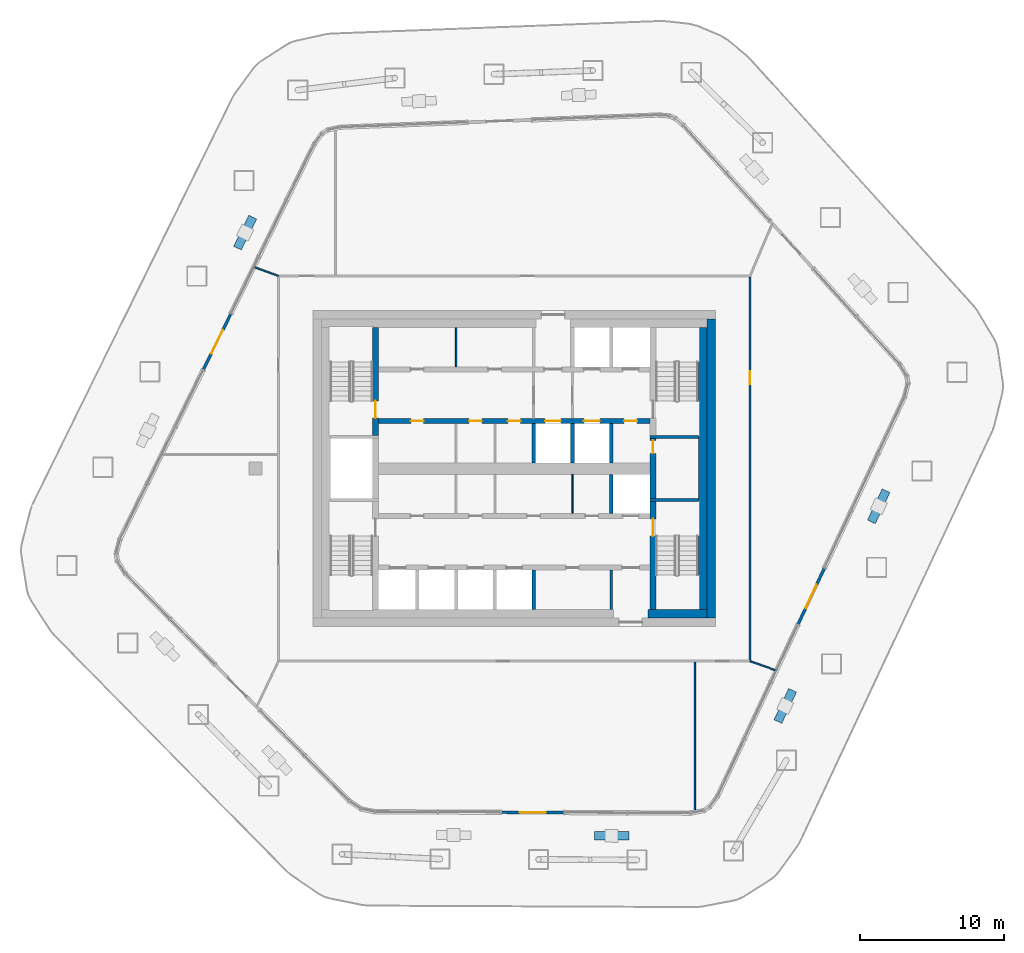
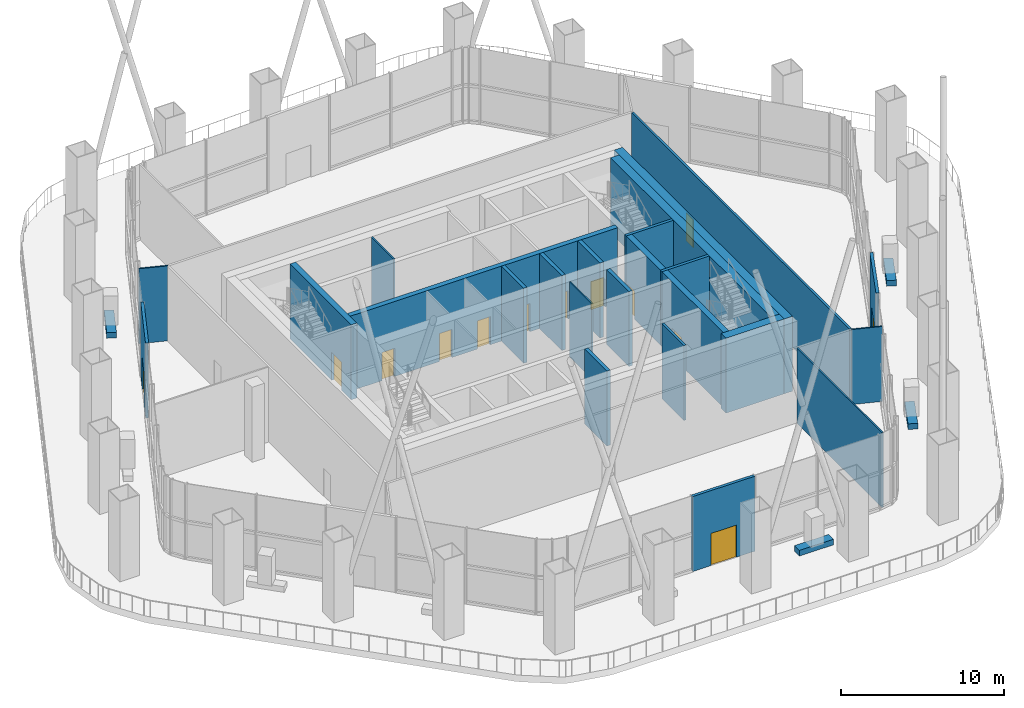
# One storey, part 13 of 20: 28 walls, 13 doors, 13 openings.
"""IFC4 building model written with IfcOpenShell, lengths in metres."""

from ifc_helpers import new_model, si_unit, direction, frame, frame_2d, origin, place, context, subcontext, project, spatial, rectangle, extrude, material, layer, layer_set, type_object, element, fill, save


model = new_model("IFC4")

# Units and contexts
model_context = context("Model", 3, precision=1e-05, world=origin(), true_north=direction((0.0, 1.0)))
body_context = subcontext(model_context, "Body", "Model", "MODEL_VIEW")
ifc_project = project(units=[si_unit("LENGTHUNIT", "METRE"), si_unit("AREAUNIT", "SQUARE_METRE"), si_unit("VOLUMEUNIT", "CUBIC_METRE"), si_unit("PLANEANGLEUNIT", "RADIAN"), si_unit("MASSUNIT", "GRAM", prefix="KILO")], contexts=[model_context])

# Site, building, storey
site_placement = place(None, origin())
site = spatial("IfcSite", under=ifc_project, at=site_placement, CompositionType="ELEMENT")
building_placement = place(site_placement, origin())
building = spatial("IfcBuilding", under=site, at=building_placement, Name="Dongbaek Canopy Tower", CompositionType="ELEMENT")
storey_placement = place(building_placement, frame((0.0, 0.0, 353.0)))
storey = spatial("IfcBuildingStorey", under=building, at=storey_placement, Name="L76", CompositionType="ELEMENT", Elevation=353.0)

# Walls
ifc_material_1 = material(Name="Reinforced concrete C40/50 planter trough with soil", Category="concrete")
ifc_layer_1 = layer(ifc_material_1, 0.60009765625)
ifc_layer_set_1 = layer_set([ifc_layer_1], Name="Balcony planter trough")
wall_type_1 = type_object("IfcWallType", Name="Balcony planter trough", PredefinedType="SOLIDWALL", material=ifc_layer_set_1)
for number, where, z_axis, x_axis, name in (
    (1, (-18.196044921875, 17.48583984375, 0.0), (0.0, 0.0, 1.0), (-0.44130354067, -0.897357891252, 0.0), "Deck planter L76 5"),
    (2, (5.56494140625, -25.54296875, 0.0), (0.0, 0.0, 1.0), (0.999989982444, -0.004476048752, 0.0), "Deck planter L76 10"),
    (3, (18.34130859375, -17.6025390625, 0.0), (0.0, 0.0, 1.0), (0.424199296596, 0.905568858104, 0.0), "Deck planter L76 11"),
):
    element("IfcWall", number, at=place(storey_placement, frame(where, z_axis=z_axis, x_axis=x_axis)), inside=storey, type_object=wall_type_1, Name=name, PredefinedType="SOLIDWALL", context=body_context, shape_type="SweptSolid", body=[
        extrude(rectangle(XDim=2.39990234375, YDim=0.60009765625, at=frame_2d((1.199951171875, 0.0))), origin(), (0.0, 0.0, 1.0), 0.419921875),
    ])
wall_1_placement = place(storey_placement, frame((24.845458984375, -3.71484375, 0.0), z_axis=(0.0, 0.0, 1.0), x_axis=(0.424076800066, 0.905626229548, 0.0)))
element("IfcWall", 4, at=wall_1_placement, inside=storey, type_object=wall_type_1, Name="Deck planter L76 12", PredefinedType="SOLIDWALL", context=body_context, shape_type="SweptSolid", body=[
    extrude(rectangle(XDim=2.400146484375, YDim=0.60009765625, at=frame_2d((1.2001953125, 0.0))), origin(), (0.0, 0.0, 1.0), 0.419921875),
])

# Wall, openings, doors
ifc_material_2 = material(Name="Concrete C60/75", Category="concrete")
ifc_layer_2 = layer(ifc_material_2, 0.35009765625)
ifc_layer_set_2 = layer_set([ifc_layer_2], Name="Core lobby wall 350 Concrete C60/75")
wall_type_2 = type_object("IfcWallType", Name="Core lobby wall 350 Concrete C60/75", PredefinedType="SHEAR", material=ifc_layer_set_2)
wall_2_placement = place(storey_placement, frame((9.449951171875, 3.300048828125, 0.0), z_axis=(0.0, 0.0, 1.0), x_axis=(-1.0, 0.0, 0.0)))
wall_2 = element("IfcWall", 5, at=wall_2_placement, inside=storey, type_object=wall_type_2, Name="Core wall", PredefinedType="SHEAR", context=body_context, shape_type="SweptSolid", body=[
    extrude(rectangle(XDim=18.89990234375, YDim=0.35009765625, at=frame_2d((9.449951171875, 0.0))), origin(), (0.0, 0.0, 1.0), 5.60009765625),
])
opening_1_placement = place(wall_2_placement, frame((6.199951171875, 0.0, 0.0)))
opening_1 = element("IfcOpeningElement", 6, at=opening_1_placement, cuts=wall_2, Name="Opening L76-D013", PredefinedType="OPENING", context=body_context, shape_type="SweptSolid", body=[
    extrude(rectangle(XDim=1.10009765625, YDim=2.10009765625, at=frame_2d((0.550048828125, 1.050048828125))), frame((0.0, 0.18505859375, 0.0), z_axis=(0.0, -1.0, 0.0), x_axis=(1.0, 0.0, 0.0)), (0.0, 0.0, 1.0), 0.3701171875),
])
opening_2_placement = place(wall_2_placement, frame((3.5, 0.0, 0.0)))
opening_2 = element("IfcOpeningElement", 7, at=opening_2_placement, cuts=wall_2, Name="Opening L76-D014", PredefinedType="OPENING", context=body_context, shape_type="SweptSolid", body=[
    extrude(rectangle(XDim=1.10009765625, YDim=2.10009765625, at=frame_2d((0.550048828125, 1.050048828125))), frame((0.0, 0.18505859375, 0.0), z_axis=(0.0, -1.0, 0.0), x_axis=(1.0, 0.0, 0.0)), (0.0, 0.0, 1.0), 0.3701171875),
])
opening_3_placement = place(wall_2_placement, frame((0.89990234375, 0.0, 0.0)))
opening_3 = element("IfcOpeningElement", 8, at=opening_3_placement, cuts=wall_2, Name="Opening L76-D015", PredefinedType="OPENING", context=body_context, shape_type="SweptSolid", body=[
    extrude(rectangle(XDim=0.89990234375, YDim=2.10009765625, at=frame_2d((0.449951171875, 1.050048828125))), frame((0.0, 0.18505859375, 0.0), z_axis=(0.0, -1.0, 0.0), x_axis=(1.0, 0.0, 0.0)), (0.0, 0.0, 1.0), 0.3701171875),
])
opening_4_placement = place(wall_2_placement, frame((15.75, 0.0, 0.0)))
opening_4 = element("IfcOpeningElement", 9, at=opening_4_placement, cuts=wall_2, Name="Opening L76-D025", PredefinedType="OPENING", context=body_context, shape_type="SweptSolid", body=[
    extrude(rectangle(XDim=0.89990234375, YDim=2.10009765625, at=frame_2d((0.449951171875, 1.050048828125))), frame((0.0, 0.18505859375, 0.0), z_axis=(0.0, -1.0, 0.0), x_axis=(1.0, 0.0, 0.0)), (0.0, 0.0, 1.0), 0.3701171875),
])
opening_5_placement = place(wall_2_placement, frame((11.699951171875, 0.0, 0.0)))
opening_5 = element("IfcOpeningElement", 10, at=opening_5_placement, cuts=wall_2, Name="Opening L76-D026", PredefinedType="OPENING", context=body_context, shape_type="SweptSolid", body=[
    extrude(rectangle(XDim=0.89990234375, YDim=2.10009765625, at=frame_2d((0.449951171875, 1.050048828125))), frame((0.0, 0.18505859375, 0.0), z_axis=(0.0, -1.0, 0.0), x_axis=(1.0, 0.0, 0.0)), (0.0, 0.0, 1.0), 0.3701171875),
])
opening_6_placement = place(wall_2_placement, frame((9.0, 0.0, 0.0)))
opening_6 = element("IfcOpeningElement", 11, at=opening_6_placement, cuts=wall_2, Name="Opening L76-D027", PredefinedType="OPENING", context=body_context, shape_type="SweptSolid", body=[
    extrude(rectangle(XDim=0.89990234375, YDim=2.10009765625, at=frame_2d((0.449951171875, 1.050048828125))), frame((0.0, 0.18505859375, 0.0), z_axis=(0.0, -1.0, 0.0), x_axis=(1.0, 0.0, 0.0)), (0.0, 0.0, 1.0), 0.3701171875),
])
ifc_material_3 = material(Name="Steel", Category="steel")
door_type_1 = type_object("IfcDoorType", Name="Core room door 900 x 2100", OperationType="SINGLE_SWING_LEFT", PredefinedType="DOOR", material=ifc_material_3)
door_1_placement = place(opening_3_placement, origin())
door_1 = element("IfcDoor", 12, at=door_1_placement, inside=storey, type_object=door_type_1, Name="Door L76-D015", OperationType="SINGLE_SWING_LEFT", OverallHeight=2.10009765625, OverallWidth=0.89990234375, PredefinedType="DOOR", context=body_context, shape_type="SweptSolid", body=[
    extrude(rectangle(XDim=0.89990234375, YDim=2.10009765625, at=frame_2d((0.449951171875, 1.050048828125))), frame((0.0, 0.02490234375, 0.0), z_axis=(0.0, -1.0, 0.0), x_axis=(1.0, 0.0, 0.0)), (0.0, 0.0, 1.0), 0.050048828125),
])
fill(opening_3, door_1)
door_2_placement = place(opening_4_placement, origin())
door_2 = element("IfcDoor", 13, at=door_2_placement, inside=storey, type_object=door_type_1, Name="Door L76-D025", OperationType="SINGLE_SWING_RIGHT", OverallHeight=2.10009765625, OverallWidth=0.89990234375, PredefinedType="DOOR", context=body_context, shape_type="SweptSolid", body=[
    extrude(rectangle(XDim=0.89990234375, YDim=2.10009765625, at=frame_2d((0.449951171875, 1.050048828125))), frame((0.0, 0.02490234375, 0.0), z_axis=(0.0, -1.0, 0.0), x_axis=(1.0, 0.0, 0.0)), (0.0, 0.0, 1.0), 0.050048828125),
])
fill(opening_4, door_2)
door_3_placement = place(opening_5_placement, origin())
door_3 = element("IfcDoor", 14, at=door_3_placement, inside=storey, type_object=door_type_1, Name="Door L76-D026", OperationType="SINGLE_SWING_LEFT", OverallHeight=2.10009765625, OverallWidth=0.89990234375, PredefinedType="DOOR", context=body_context, shape_type="SweptSolid", body=[
    extrude(rectangle(XDim=0.89990234375, YDim=2.10009765625, at=frame_2d((0.449951171875, 1.050048828125))), frame((0.0, 0.02490234375, 0.0), z_axis=(0.0, -1.0, 0.0), x_axis=(1.0, 0.0, 0.0)), (0.0, 0.0, 1.0), 0.050048828125),
])
fill(opening_5, door_3)
door_4_placement = place(opening_6_placement, origin())
door_4 = element("IfcDoor", 15, at=door_4_placement, inside=storey, type_object=door_type_1, Name="Door L76-D027", OperationType="SINGLE_SWING_RIGHT", OverallHeight=2.10009765625, OverallWidth=0.89990234375, PredefinedType="DOOR", context=body_context, shape_type="SweptSolid", body=[
    extrude(rectangle(XDim=0.89990234375, YDim=2.10009765625, at=frame_2d((0.449951171875, 1.050048828125))), frame((0.0, 0.02490234375, 0.0), z_axis=(0.0, -1.0, 0.0), x_axis=(1.0, 0.0, 0.0)), (0.0, 0.0, 1.0), 0.050048828125),
])
fill(opening_6, door_4)
ifc_material_4 = material(Name="Stainless steel", Category="steel")
door_type_2 = type_object("IfcDoorType", Name="Lift landing door 1100 x 2100", OperationType="DOUBLE_DOOR_SLIDING", PredefinedType="DOOR", material=ifc_material_4)
door_5_placement = place(opening_1_placement, origin())
door_5 = element("IfcDoor", 16, at=door_5_placement, inside=storey, type_object=door_type_2, Name="Landing door SV1", OperationType="DOUBLE_DOOR_SLIDING", OverallHeight=2.10009765625, OverallWidth=1.10009765625, PredefinedType="DOOR", context=body_context, shape_type="SweptSolid", body=[
    extrude(rectangle(XDim=1.10009765625, YDim=2.10009765625, at=frame_2d((0.550048828125, 1.050048828125))), frame((0.0, 0.02490234375, 0.0), z_axis=(0.0, -1.0, 0.0), x_axis=(1.0, 0.0, 0.0)), (0.0, 0.0, 1.0), 0.050048828125),
])
fill(opening_1, door_5)
door_6_placement = place(opening_2_placement, origin())
door_6 = element("IfcDoor", 17, at=door_6_placement, inside=storey, type_object=door_type_2, Name="Landing door FF3", OperationType="DOUBLE_DOOR_SLIDING", OverallHeight=2.10009765625, OverallWidth=1.10009765625, PredefinedType="DOOR", context=body_context, shape_type="SweptSolid", body=[
    extrude(rectangle(XDim=1.10009765625, YDim=2.10009765625, at=frame_2d((0.550048828125, 1.050048828125))), frame((0.0, 0.02490234375, 0.0), z_axis=(0.0, -1.0, 0.0), x_axis=(1.0, 0.0, 0.0)), (0.0, 0.0, 1.0), 0.050048828125),
])
fill(opening_2, door_6)

# Walls
ifc_material_5 = material(Name="Concrete C80/95", Category="concrete")
ifc_layer_3 = layer(ifc_material_5, 0.60009765625)
ifc_layer_set_3 = layer_set([ifc_layer_3], Name="Core outer wall 600 Concrete C80/95")
wall_type_3 = type_object("IfcWallType", Name="Core outer wall 600 Concrete C80/95", PredefinedType="SHEAR", material=ifc_layer_set_3)
wall_3_placement = place(storey_placement, frame((13.699951171875, 10.39990234375, 0.0), z_axis=(0.0, 0.0, 1.0), x_axis=(0.0, -1.0, 0.0)))
element("IfcWall", 18, at=wall_3_placement, inside=storey, type_object=wall_type_3, Name="Core wall", PredefinedType="SHEAR", context=body_context, shape_type="SweptSolid", body=[
    extrude(rectangle(XDim=20.7998046875, YDim=0.60009765625, at=frame_2d((10.39990234375, 0.0))), origin(), (0.0, 0.0, 1.0), 5.60009765625),
])
ifc_material_6 = material(Name="Concrete C60/75", Category="concrete")
ifc_layer_4 = layer(ifc_material_6, 0.60009765625)
ifc_layer_set_4 = layer_set([ifc_layer_4], Name="Core wall lining 600 Concrete C60/75")
wall_type_4 = type_object("IfcWallType", Name="Core wall lining 600 Concrete C60/75", PredefinedType="SHEAR", material=ifc_layer_set_4)
wall_4_placement = place(storey_placement, frame((13.39990234375, -10.10009765625, 0.0), z_axis=(0.0, 0.0, 1.0), x_axis=(-1.0, 0.0, 0.0)))
element("IfcWall", 19, at=wall_4_placement, inside=storey, type_object=wall_type_4, Name="Core wall lining", PredefinedType="SHEAR", context=body_context, shape_type="SweptSolid", body=[
    extrude(rectangle(XDim=4.099853515625, YDim=0.60009765625, at=frame_2d((2.0498046875, 0.0))), origin(), (0.0, 0.0, 1.0), 5.60009765625),
])
wall_5_placement = place(storey_placement, frame((13.10009765625, 9.800048828125, 0.0), z_axis=(0.0, 0.0, 1.0), x_axis=(0.0, -1.0, 0.0)))
element("IfcWall", 20, at=wall_5_placement, inside=storey, type_object=wall_type_4, Name="Core wall lining", PredefinedType="SHEAR", context=body_context, shape_type="SweptSolid", body=[
    extrude(rectangle(XDim=19.60009765625, YDim=0.60009765625, at=frame_2d((9.800048828125, 0.0))), origin(), (0.0, 0.0, 1.0), 5.60009765625),
])

# Wall, opening, door
ifc_material_7 = material(Name="Aluminium window wall", Category="aluminium")
ifc_layer_5 = layer(ifc_material_7, 0.199951171875)
ifc_layer_set_5 = layer_set([ifc_layer_5], Name="Entrance wall 200")
wall_type_5 = type_object("IfcWallType", Name="Entrance wall 200", PredefinedType="SOLIDWALL", material=ifc_layer_set_5)
wall_6_placement = place(storey_placement, frame((-21.64208984375, 6.85400390625, 0.0), z_axis=(0.0, 0.0, 1.0), x_axis=(0.441343921146, 0.897338031774, 0.0)))
wall_6 = element("IfcWall", 21, at=wall_6_placement, inside=storey, type_object=wall_type_5, Name="Lounge entrance wall F2 4", PredefinedType="SOLIDWALL", context=body_context, shape_type="SweptSolid", body=[
    extrude(rectangle(XDim=4.3828125, YDim=0.199951171875, at=frame_2d((2.19140625, 0.0))), origin(), (0.0, 0.0, 1.0), 5.60009765625),
])
opening_7_placement = place(wall_6_placement, frame((1.291259765625, 0.0, 0.0)))
opening_7 = element("IfcOpeningElement", 22, at=opening_7_placement, cuts=wall_6, Name="Opening L76-D975", PredefinedType="OPENING", context=body_context, shape_type="SweptSolid", body=[
    extrude(rectangle(XDim=1.800048828125, YDim=2.39990234375, at=frame_2d((0.89990234375, 1.199951171875))), frame((0.0, 0.10986328125, 0.0), z_axis=(0.0, -1.0, 0.0), x_axis=(1.0, 0.0, 0.0)), (0.0, 0.0, 1.0), 0.219970703125),
])
ifc_material_8 = material(Name="Clear glazing in aluminium frame", Category="aluminium")
door_type_3 = type_object("IfcDoorType", Name="Lounge door LD1 1800 x 2400", OperationType="DOUBLE_DOOR_SINGLE_SWING", PredefinedType="DOOR", material=ifc_material_8)
door_7_placement = place(opening_7_placement, origin())
door_7 = element("IfcDoor", 23, at=door_7_placement, inside=storey, type_object=door_type_3, Name="Deck door L76-D975", OperationType="SINGLE_SWING_LEFT", OverallHeight=2.39990234375, OverallWidth=1.800048828125, PredefinedType="DOOR", context=body_context, shape_type="SweptSolid", body=[
    extrude(rectangle(XDim=1.800048828125, YDim=2.39990234375, at=frame_2d((0.89990234375, 1.199951171875))), frame((0.0, 0.02490234375, 0.0), z_axis=(0.0, -1.0, 0.0), x_axis=(1.0, 0.0, 0.0)), (0.0, 0.0, 1.0), 0.050048828125),
])
fill(opening_7, door_7)

wall_7_placement = place(storey_placement, frame((3.4755859375, -23.93359375, 0.0), z_axis=(0.0, 0.0, 1.0), x_axis=(-0.999990126894, 0.004443659954, 0.0)))
wall_7 = element("IfcWall", 24, at=wall_7_placement, inside=storey, type_object=wall_type_5, Name="Lounge entrance wall F4 3", PredefinedType="SOLIDWALL", context=body_context, shape_type="SweptSolid", body=[
    extrude(rectangle(XDim=4.395263671875, YDim=0.199951171875, at=frame_2d((2.19775390625, 0.0))), origin(), (0.0, 0.0, 1.0), 5.60009765625),
])
opening_8_placement = place(wall_7_placement, frame((1.297607421875, 0.0, 0.0)))
opening_8 = element("IfcOpeningElement", 25, at=opening_8_placement, cuts=wall_7, Name="Opening L76-D977", PredefinedType="OPENING", context=body_context, shape_type="SweptSolid", body=[
    extrude(rectangle(XDim=1.800048828125, YDim=2.39990234375, at=frame_2d((0.89990234375, 1.199951171875))), frame((0.0, 0.10986328125, 0.0), z_axis=(0.0, -1.0, 0.0), x_axis=(1.0, 0.0, 0.0)), (0.0, 0.0, 1.0), 0.219970703125),
])
door_8_placement = place(opening_8_placement, origin())
door_8 = element("IfcDoor", 26, at=door_8_placement, inside=storey, type_object=door_type_3, Name="Deck door L76-D977", OperationType="SINGLE_SWING_LEFT", OverallHeight=2.39990234375, OverallWidth=1.800048828125, PredefinedType="DOOR", context=body_context, shape_type="SweptSolid", body=[
    extrude(rectangle(XDim=1.800048828125, YDim=2.39990234375, at=frame_2d((0.89990234375, 1.199951171875))), frame((0.0, 0.02490234375, 0.0), z_axis=(0.0, -1.0, 0.0), x_axis=(1.0, 0.0, 0.0)), (0.0, 0.0, 1.0), 0.050048828125),
])
fill(opening_8, door_8)

wall_8_placement = place(storey_placement, frame((21.58251953125, -6.909423828125, 0.0), z_axis=(0.0, 0.0, 1.0), x_axis=(-0.42408694293, -0.905621479889, 0.0)))
wall_8 = element("IfcWall", 27, at=wall_8_placement, inside=storey, type_object=wall_type_5, Name="Lounge entrance wall F5 4", PredefinedType="SOLIDWALL", context=body_context, shape_type="SweptSolid", body=[
    extrude(rectangle(XDim=4.381591796875, YDim=0.199951171875, at=frame_2d((2.19091796875, 0.0))), origin(), (0.0, 0.0, 1.0), 5.60009765625),
])
opening_9_placement = place(wall_8_placement, frame((1.290771484375, 0.0, 0.0)))
opening_9 = element("IfcOpeningElement", 28, at=opening_9_placement, cuts=wall_8, Name="Opening L76-D978", PredefinedType="OPENING", context=body_context, shape_type="SweptSolid", body=[
    extrude(rectangle(XDim=1.800048828125, YDim=2.39990234375, at=frame_2d((0.89990234375, 1.199951171875))), frame((0.0, 0.10986328125, 0.0), z_axis=(0.0, -1.0, 0.0), x_axis=(1.0, 0.0, 0.0)), (0.0, 0.0, 1.0), 0.219970703125),
])
door_9_placement = place(opening_9_placement, origin())
door_9 = element("IfcDoor", 29, at=door_9_placement, inside=storey, type_object=door_type_3, Name="Deck door L76-D978", OperationType="SINGLE_SWING_LEFT", OverallHeight=2.39990234375, OverallWidth=1.800048828125, PredefinedType="DOOR", context=body_context, shape_type="SweptSolid", body=[
    extrude(rectangle(XDim=1.800048828125, YDim=2.39990234375, at=frame_2d((0.89990234375, 1.199951171875))), frame((0.0, 0.02490234375, 0.0), z_axis=(0.0, -1.0, 0.0), x_axis=(1.0, 0.0, 0.0)), (0.0, 0.0, 1.0), 0.050048828125),
])
fill(opening_9, door_9)

ifc_material_9 = material(Name="Gypsum board partition, steel stud, 2 x 15 mm fire board", Category="steel")
ifc_layer_6 = layer(ifc_material_9, 0.14990234375)
ifc_layer_set_6 = layer_set([ifc_layer_6], Name="Fire-rated partition 150 gypsum board")
wall_type_6 = type_object("IfcWallType", Name="Fire-rated partition 150 gypsum board", PredefinedType="PARTITIONING", material=ifc_layer_set_6)
wall_9_placement = place(storey_placement, frame((16.39990234375, 13.324951171875, 0.0), z_axis=(0.0, 0.0, 1.0), x_axis=(0.0, -1.0, 0.0)))
wall_9 = element("IfcWall", 30, at=wall_9_placement, inside=storey, type_object=wall_type_6, Name="Corridor partition", PredefinedType="PARTITIONING", context=body_context, shape_type="SweptSolid", body=[
    extrude(rectangle(XDim=26.64990234375, YDim=0.14990234375, at=frame_2d((13.324951171875, 0.0))), origin(), (0.0, 0.0, 1.0), 5.60009765625),
])
opening_10_placement = place(wall_9_placement, frame((6.55029296875, 0.0, 0.0)))
opening_10 = element("IfcOpeningElement", 31, at=opening_10_placement, cuts=wall_9, Name="Opening L76-D004", PredefinedType="OPENING", context=body_context, shape_type="SweptSolid", body=[
    extrude(rectangle(XDim=0.89990234375, YDim=2.10009765625, at=frame_2d((0.449951171875, 1.050048828125))), frame((0.0, 0.0849609375, 0.0), z_axis=(0.0, -1.0, 0.0), x_axis=(1.0, 0.0, 0.0)), (0.0, 0.0, 1.0), 0.169921875),
])
ifc_material_10 = material(Name="Timber veneered door leaf", Category="wood")
door_type_4 = type_object("IfcDoorType", Name="Room door 900 x 2100", OperationType="SINGLE_SWING_LEFT", PredefinedType="DOOR", material=ifc_material_10)
door_10_placement = place(opening_10_placement, origin())
door_10 = element("IfcDoor", 32, at=door_10_placement, inside=storey, type_object=door_type_4, Name="Door L76-D004", OperationType="SINGLE_SWING_LEFT", OverallHeight=2.10009765625, OverallWidth=0.89990234375, PredefinedType="DOOR", context=body_context, shape_type="SweptSolid", body=[
    extrude(rectangle(XDim=0.89990234375, YDim=2.10009765625, at=frame_2d((0.449951171875, 1.050048828125))), frame((0.0, 0.02490234375, 0.0), z_axis=(0.0, -1.0, 0.0), x_axis=(1.0, 0.0, 0.0)), (0.0, 0.0, 1.0), 0.050048828125),
])
fill(opening_10, door_10)

# Walls
wall_10_placement = place(storey_placement, frame((6.75, -9.800048828125, 0.0), z_axis=(0.0, 0.0, 1.0), x_axis=(0.0, 1.0, 0.0)))
element("IfcWall", 33, at=wall_10_placement, inside=storey, type_object=wall_type_6, Name="Fire lobby partition", PredefinedType="PARTITIONING", context=body_context, shape_type="SweptSolid", body=[
    extrude(rectangle(XDim=2.72509765625, YDim=0.14990234375, at=frame_2d((1.362548828125, 0.0))), origin(), (0.0, 0.0, 1.0), 5.60009765625),
])
ifc_material_11 = material(Name="Concrete C40/50", Category="concrete")
ifc_layer_7 = layer(ifc_material_11, 0.25)
ifc_layer_set_7 = layer_set([ifc_layer_7], Name="Lift shaft wall 250 Concrete C40/50")
wall_type_7 = type_object("IfcWallType", Name="Lift shaft wall 250 Concrete C40/50", PredefinedType="SOLIDWALL", material=ifc_layer_set_7)
for number, where, z_axis, x_axis, name in (
    (34, (6.75, -3.125, 0.0), (0.0, 0.0, 1.0), (0.0, 1.0, 0.0), "Lift shaft wall"),
    (35, (6.75, 0.39990234375, 0.0), (0.0, 0.0, 1.0), (0.0, 1.0, 0.0), "Lift shaft wall"),
    (36, (4.050048828125, 0.39990234375, 0.0), (0.0, 0.0, 1.0), (0.0, 1.0, 0.0), "Lift shaft wall"),
    (37, (1.35009765625, -9.800048828125, 0.0), (0.0, 0.0, 1.0), (0.0, 1.0, 0.0), "Lift shaft wall"),
    (38, (1.35009765625, 0.39990234375, 0.0), (0.0, 0.0, 1.0), (0.0, 1.0, 0.0), "Lift shaft wall"),
):
    element("IfcWall", number, at=place(storey_placement, frame(where, z_axis=z_axis, x_axis=x_axis)), inside=storey, type_object=wall_type_7, Name=name, PredefinedType="SOLIDWALL", context=body_context, shape_type="SweptSolid", body=[
        extrude(rectangle(XDim=2.72509765625, YDim=0.25, at=frame_2d((1.362548828125, 0.0))), origin(), (0.0, 0.0, 1.0), 5.60009765625),
    ])
ifc_material_12 = material(Name="Gypsum board partition, steel stud, 2 x 12.5 mm board", Category="steel")
ifc_layer_8 = layer(ifc_material_12, 0.10009765625)
ifc_layer_set_8 = layer_set([ifc_layer_8], Name="Partition 100 gypsum board")
wall_type_8 = type_object("IfcWallType", Name="Partition 100 gypsum board", PredefinedType="PARTITIONING", material=ifc_layer_set_8)
wall_11_placement = place(storey_placement, frame((12.56591796875, -23.89453125, 0.0), z_axis=(0.0, 0.0, 1.0), x_axis=(0.0, 1.0, 0.0)))
element("IfcWall", 39, at=wall_11_placement, inside=storey, type_object=wall_type_8, Name="Partition", PredefinedType="PARTITIONING", context=body_context, shape_type="SweptSolid", body=[
    extrude(rectangle(XDim=10.41943359375, YDim=0.10009765625, at=frame_2d((5.209716796875, 0.0))), origin(), (0.0, 0.0, 1.0), 5.60009765625),
])
wall_12_placement = place(storey_placement, frame((-18.096923828125, 14.016357421875, 0.0), z_axis=(0.0, 0.0, 1.0), x_axis=(0.939892096891, -0.341471589158, 0.0)))
element("IfcWall", 40, at=wall_12_placement, inside=storey, type_object=wall_type_8, Name="Partition", PredefinedType="PARTITIONING", context=body_context, shape_type="SweptSolid", body=[
    extrude(rectangle(XDim=1.80517578125, YDim=0.10009765625, at=frame_2d((0.902587890625, 0.0))), origin(), (0.0, 0.0, 1.0), 5.60009765625),
])
wall_13_placement = place(storey_placement, frame((16.400146484375, -13.39990234375, 0.0), z_axis=(0.0, 0.0, 1.0), x_axis=(0.942059262251, -0.335446488143, 0.0)))
element("IfcWall", 41, at=wall_13_placement, inside=storey, type_object=wall_type_8, Name="Partition", PredefinedType="PARTITIONING", context=body_context, shape_type="SweptSolid", body=[
    extrude(rectangle(XDim=1.929443359375, YDim=0.10009765625, at=frame_2d((0.96484375, 0.0))), origin(), (0.0, 0.0, 1.0), 5.60009765625),
])
for number, where, z_axis, x_axis, name in (
    (42, (4.050048828125, -3.125, 0.0), (0.0, 0.0, 1.0), (0.0, 1.0, 0.0), "Core partition"),
    (43, (-4.050048828125, 7.074951171875, 0.0), (0.0, 0.0, 1.0), (0.0, 1.0, 0.0), "Core partition"),
):
    element("IfcWall", number, at=place(storey_placement, frame(where, z_axis=z_axis, x_axis=x_axis)), inside=storey, type_object=wall_type_8, Name=name, PredefinedType="PARTITIONING", context=body_context, shape_type="SweptSolid", body=[
        extrude(rectangle(XDim=2.72509765625, YDim=0.10009765625, at=frame_2d((1.362548828125, 0.0))), origin(), (0.0, 0.0, 1.0), 5.60009765625),
    ])
ifc_material_13 = material(Name="Concrete C60/75", Category="concrete")
ifc_layer_9 = layer(ifc_material_13, 0.199951171875)
ifc_layer_set_9 = layer_set([ifc_layer_9], Name="Riser wall 200 Concrete C60/75")
wall_type_9 = type_object("IfcWallType", Name="Riser wall 200 Concrete C60/75", PredefinedType="SHEAR", material=ifc_layer_set_9)
for number, where, z_axis, x_axis, name in (
    (44, (9.449951171875, 2.199951171875, 0.0), (0.0, 0.0, 1.0), (1.0, 0.0, 0.0), "Riser wall"),
    (45, (9.449951171875, -2.199951171875, 0.0), (0.0, 0.0, 1.0), (1.0, 0.0, 0.0), "Riser wall"),
):
    element("IfcWall", number, at=place(storey_placement, frame(where, z_axis=z_axis, x_axis=x_axis)), inside=storey, type_object=wall_type_9, Name=name, PredefinedType="SHEAR", context=body_context, shape_type="SweptSolid", body=[
        extrude(rectangle(XDim=3.35009765625, YDim=0.199951171875, at=frame_2d((1.675048828125, 0.0))), origin(), (0.0, 0.0, 1.0), 5.60009765625),
    ])

# Wall, opening, door
ifc_material_14 = material(Name="Concrete C60/75", Category="concrete")
ifc_layer_10 = layer(ifc_material_14, 0.39990234375)
ifc_layer_set_10 = layer_set([ifc_layer_10], Name="Stair wall 400 Concrete C60/75")
wall_type_10 = type_object("IfcWallType", Name="Stair wall 400 Concrete C60/75", PredefinedType="SHEAR", material=ifc_layer_set_10)
wall_14_placement = place(storey_placement, frame((9.64990234375, -2.300048828125, 0.0), z_axis=(0.0, 0.0, 1.0), x_axis=(0.0, -1.0, 0.0)))
wall_14 = element("IfcWall", 46, at=wall_14_placement, inside=storey, type_object=wall_type_10, Name="Stair wall", PredefinedType="SHEAR", context=body_context, shape_type="SweptSolid", body=[
    extrude(rectangle(XDim=7.5, YDim=0.39990234375, at=frame_2d((3.75, 0.0))), origin(), (0.0, 0.0, 1.0), 5.60009765625),
])
opening_11_placement = place(wall_14_placement, frame((1.199951171875, 0.0, 0.0)))
opening_11 = element("IfcOpeningElement", 47, at=opening_11_placement, cuts=wall_14, Name="Opening L76-D035", PredefinedType="OPENING", context=body_context, shape_type="SweptSolid", body=[
    extrude(rectangle(XDim=1.199951171875, YDim=2.10009765625, at=frame_2d((0.60009765625, 1.050048828125))), frame((0.0, 0.2099609375, 0.0), z_axis=(0.0, -1.0, 0.0), x_axis=(1.0, 0.0, 0.0)), (0.0, 0.0, 1.0), 0.419921875),
])
ifc_material_15 = material(Name="Steel", Category="steel")
door_type_5 = type_object("IfcDoorType", Name="Stair door 1200 x 2100", OperationType="SINGLE_SWING_LEFT", PredefinedType="DOOR", material=ifc_material_15)
door_11_placement = place(opening_11_placement, origin())
door_11 = element("IfcDoor", 48, at=door_11_placement, inside=storey, type_object=door_type_5, Name="Stair B door", OperationType="SINGLE_SWING_RIGHT", OverallHeight=2.10009765625, OverallWidth=1.199951171875, PredefinedType="DOOR", context=body_context, shape_type="SweptSolid", body=[
    extrude(rectangle(XDim=1.199951171875, YDim=2.10009765625, at=frame_2d((0.60009765625, 1.050048828125))), frame((0.0, 0.02490234375, 0.0), z_axis=(0.0, -1.0, 0.0), x_axis=(1.0, 0.0, 0.0)), (0.0, 0.0, 1.0), 0.050048828125),
])
fill(opening_11, door_11)

wall_15_placement = place(storey_placement, frame((9.64990234375, 2.10009765625, 0.0), z_axis=(0.0, 0.0, 1.0), x_axis=(0.0, -1.0, 0.0)))
wall_15 = element("IfcWall", 49, at=wall_15_placement, inside=storey, type_object=wall_type_10, Name="Stair wall", PredefinedType="SHEAR", context=body_context, shape_type="SweptSolid", body=[
    extrude(rectangle(XDim=4.2001953125, YDim=0.39990234375, at=frame_2d((2.10009765625, 0.0))), origin(), (0.0, 0.0, 1.0), 5.60009765625),
])
opening_12_placement = place(wall_15_placement, frame((0.14990234375, 0.0, 0.0)))
opening_12 = element("IfcOpeningElement", 50, at=opening_12_placement, cuts=wall_15, Name="Opening L76-D008", PredefinedType="OPENING", context=body_context, shape_type="SweptSolid", body=[
    extrude(rectangle(XDim=0.89990234375, YDim=2.10009765625, at=frame_2d((0.449951171875, 1.050048828125))), frame((0.0, 0.2099609375, 0.0), z_axis=(0.0, -1.0, 0.0), x_axis=(1.0, 0.0, 0.0)), (0.0, 0.0, 1.0), 0.419921875),
])
door_12_placement = place(opening_12_placement, origin())
door_12 = element("IfcDoor", 51, at=door_12_placement, inside=storey, type_object=door_type_1, Name="Door L76-D008", OperationType="SINGLE_SWING_RIGHT", OverallHeight=2.10009765625, OverallWidth=0.89990234375, PredefinedType="DOOR", context=body_context, shape_type="SweptSolid", body=[
    extrude(rectangle(XDim=0.89990234375, YDim=2.10009765625, at=frame_2d((0.449951171875, 1.050048828125))), frame((0.0, 0.02490234375, 0.0), z_axis=(0.0, -1.0, 0.0), x_axis=(1.0, 0.0, 0.0)), (0.0, 0.0, 1.0), 0.050048828125),
])
fill(opening_12, door_12)

wall_16_placement = place(storey_placement, frame((-9.64990234375, 2.300048828125, 0.0), z_axis=(0.0, 0.0, 1.0), x_axis=(0.0, 1.0, 0.0)))
wall_16 = element("IfcWall", 52, at=wall_16_placement, inside=storey, type_object=wall_type_10, Name="Stair wall", PredefinedType="SHEAR", context=body_context, shape_type="SweptSolid", body=[
    extrude(rectangle(XDim=7.5, YDim=0.39990234375, at=frame_2d((3.75, 0.0))), origin(), (0.0, 0.0, 1.0), 5.60009765625),
])
opening_13_placement = place(wall_16_placement, frame((1.199951171875, 0.0, 0.0)))
opening_13 = element("IfcOpeningElement", 53, at=opening_13_placement, cuts=wall_16, Name="Opening L76-D034", PredefinedType="OPENING", context=body_context, shape_type="SweptSolid", body=[
    extrude(rectangle(XDim=1.199951171875, YDim=2.10009765625, at=frame_2d((0.60009765625, 1.050048828125))), frame((0.0, 0.2099609375, 0.0), z_axis=(0.0, -1.0, 0.0), x_axis=(1.0, 0.0, 0.0)), (0.0, 0.0, 1.0), 0.419921875),
])
door_13_placement = place(opening_13_placement, origin())
door_13 = element("IfcDoor", 54, at=door_13_placement, inside=storey, type_object=door_type_5, Name="Stair C door", OperationType="SINGLE_SWING_RIGHT", OverallHeight=2.10009765625, OverallWidth=1.199951171875, PredefinedType="DOOR", context=body_context, shape_type="SweptSolid", body=[
    extrude(rectangle(XDim=1.199951171875, YDim=2.10009765625, at=frame_2d((0.60009765625, 1.050048828125))), frame((0.0, 0.02490234375, 0.0), z_axis=(0.0, -1.0, 0.0), x_axis=(1.0, 0.0, 0.0)), (0.0, 0.0, 1.0), 0.050048828125),
])
fill(opening_13, door_13)

save(model, "model.ifc")
